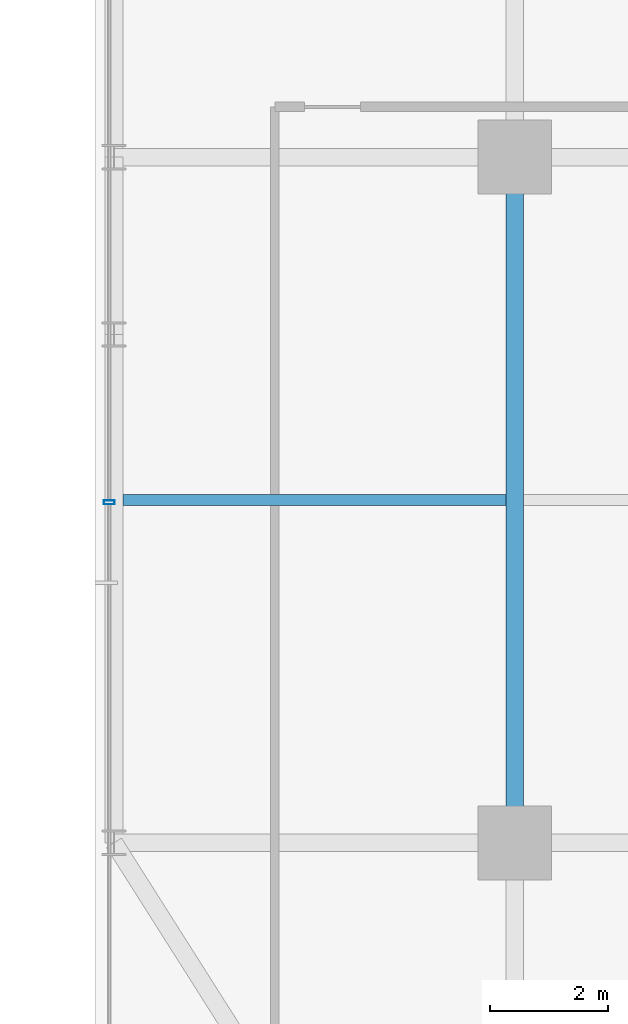
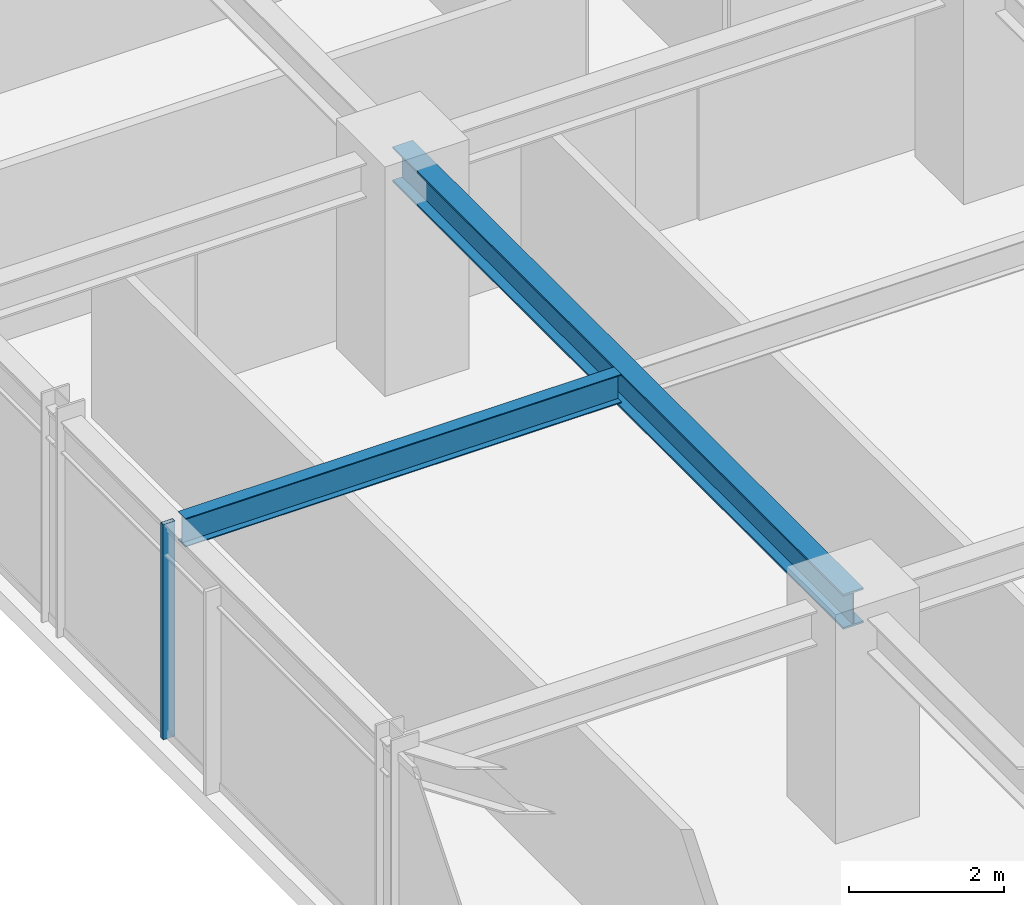
# One storey, part 4 of 40: 2 beams, 1 member, 1 element without a shape of its own.
"""IFC4 building model written with IfcOpenShell, lengths in metres."""

from ifc_helpers import new_model, si_unit, direction, frame, origin, origin_2d, place, context, subcontext, project, spatial, hollow_rectangle, i_section, extrude, source, transform, mapped, material, material_profile, profile_set, type_object, element, aggregate, save


model = new_model("IFC4")

# Units and contexts
model_context = context("Model", 3, precision=1e-05, world=origin(), true_north=direction((0.0, 1.0)))
body_context = subcontext(model_context, "Body", "Model", "MODEL_VIEW")
ifc_project = project(units=[si_unit("LENGTHUNIT", "METRE"), si_unit("AREAUNIT", "SQUARE_METRE"), si_unit("VOLUMEUNIT", "CUBIC_METRE"), si_unit("PLANEANGLEUNIT", "RADIAN"), si_unit("MASSUNIT", "GRAM", prefix="KILO")], contexts=[model_context])

# Site, building, storey
site_placement = place(None, origin())
site = spatial("IfcSite", under=ifc_project, at=site_placement, CompositionType="ELEMENT")
building_placement = place(site_placement, origin())
building = spatial("IfcBuilding", under=site, at=building_placement, Name="Nahalor Promenade Grand Hotel", CompositionType="ELEMENT")
storey_placement = place(building_placement, frame((0.0, 0.0, 91.949951171875)))
storey = spatial("IfcBuildingStorey", under=building, at=storey_placement, Name="L22", CompositionType="ELEMENT", Elevation=91.949951171875)

# Beams
ifc_material_1 = material(Name="Steel S355JR", Category="steel")
ifc_material_profile_1 = material_profile(ifc_material_1, i_section(OverallWidth=0.3, OverallDepth=0.55, WebThickness=0.015, FlangeThickness=0.029, at=origin_2d()), Name="HEB 550")
ifc_profile_set_1 = profile_set([ifc_material_profile_1], Name="Steel S355JR")
beam_type_1 = type_object("IfcBeamType", Name="Beam-Girder-HEB550", PredefinedType="BEAM", material=ifc_profile_set_1)
shared_shape_1 = source(origin(), body_context, "Body", "SweptSolid", [
    extrude(i_section(OverallWidth=0.3, OverallDepth=0.55, WebThickness=0.015, FlangeThickness=0.029, at=origin_2d()), origin(), (0.0, 0.0, 1.0), 11.60009765625),
])
beam_1_placement = place(storey_placement, frame((-17.0, -17.0, 3.10498046875), z_axis=(0.0, 1.0, 0.0), x_axis=(-1.0, 0.0, 0.0)))
element("IfcBeam", 1, at=beam_1_placement, inside=storey, type_object=beam_type_1, Name="BM-L22-GY-0-1", PredefinedType="BEAM", context=body_context, shape_type="MappedRepresentation", body=[
    mapped(shared_shape_1, transform((0.0, 0.0, 0.0), scale=1.0)),
])
ifc_material_profile_2 = material_profile(ifc_material_1, i_section(OverallWidth=0.19, OverallDepth=0.45, WebThickness=0.0094, FlangeThickness=0.0146, at=origin_2d()), Name="IPE 450")
ifc_profile_set_2 = profile_set([ifc_material_profile_2], Name="Steel S355JR")
beam_type_2 = type_object("IfcBeamType", Name="Beam-Joist-IPE450", PredefinedType="JOIST", material=ifc_profile_set_2)
shared_shape_2 = source(origin(), body_context, "Body", "SweptSolid", [
    extrude(i_section(OverallWidth=0.19, OverallDepth=0.45, WebThickness=0.0094, FlangeThickness=0.0146, at=origin_2d()), origin(), (0.0, 0.0, 1.0), 6.47998046875),
])
beam_2_placement = place(storey_placement, frame((-23.6298828125, -11.199951171875, 3.155029296875), z_axis=(1.0, 0.0, 0.0), x_axis=(0.0, 1.0, 0.0)))
element("IfcBeam", 2, at=beam_2_placement, inside=storey, type_object=beam_type_2, Name="BM-L22-JSW-0-0", PredefinedType="JOIST", context=body_context, shape_type="MappedRepresentation", body=[
    mapped(shared_shape_2, transform((0.0, 0.0, 0.0), scale=1.0)),
])

# Curtain wall, member
ifc_material_2 = material(Name="Anodised Bronze Aluminium EN AW-6063 T6", Category="aluminium")
curtain_wall_type = type_object("IfcCurtainWallType", Name="CW2 Typical Hotel Flush Bronze Unitised Curtain Wall", PredefinedType="USERDEFINED", material=ifc_material_2)
curtain_wall_placement = place(storey_placement, origin())
curtain_wall = element("IfcCurtainWall", 3, at=curtain_wall_placement, inside=storey, type_object=curtain_wall_type, Name="L22 Curtain Wall CW-L22-W-1", ObjectType="UNITISED_CURTAIN_WALL", PredefinedType="USERDEFINED")
ifc_material_profile_3 = material_profile(ifc_material_2, hollow_rectangle(XDim=0.065, YDim=0.18, WallThickness=0.004, at=origin_2d()), Name="CWM 65x180x4")
ifc_profile_set_3 = profile_set([ifc_material_profile_3], Name="Anodised Bronze Aluminium EN AW-6063 T6")
member_type = type_object("IfcMemberType", Name="CWM2 Typical Bronze Mullion 65x180", PredefinedType="MULLION", material=ifc_profile_set_3)
shared_shape_3 = source(origin(), body_context, "Body", "SweptSolid", [
    extrude(hollow_rectangle(XDim=0.065, YDim=0.18, WallThickness=0.004, at=origin_2d()), origin(), (0.0, 0.0, 1.0), 3.380126953125),
])
member_placement = place(storey_placement, frame((-23.860107421875, -11.239990234375, 0.0), z_axis=(0.0, 0.0, 1.0), x_axis=(0.0, 1.0, 0.0)))
member = element("IfcMember", 4, at=member_placement, type_object=member_type, Name="CW-L22-W-1 Mullion 1", PredefinedType="MULLION", context=body_context, shape_type="MappedRepresentation", body=[
    mapped(shared_shape_3, transform((0.0, 0.0, 0.0), scale=1.0)),
])
aggregate(curtain_wall, [member])

save(model, "model.ifc")
